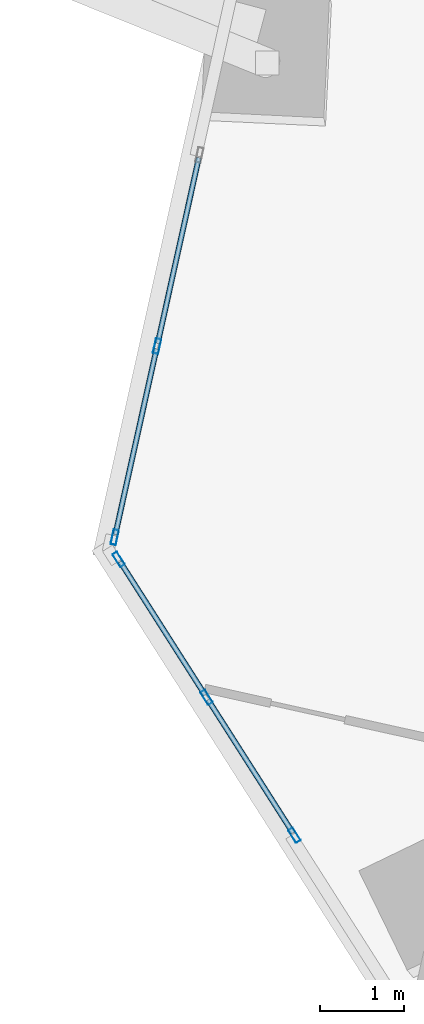
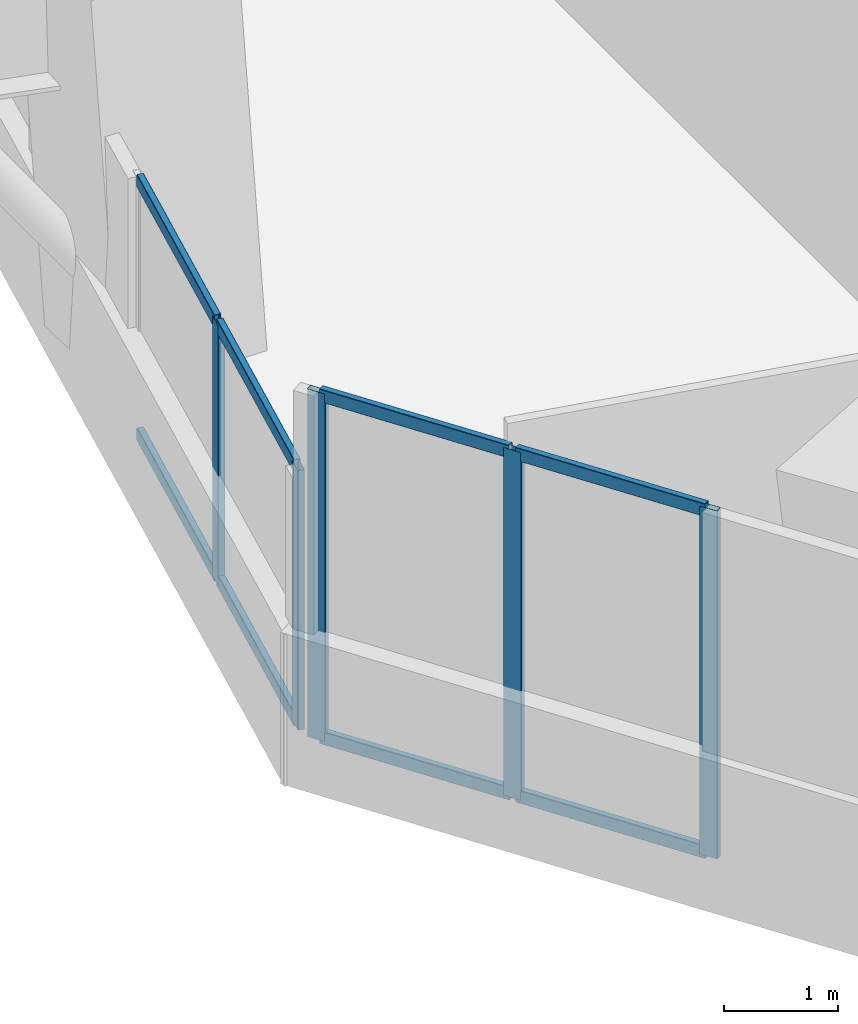
# One storey, part 3 of 26: 13 members, 2 elements without a shape of their own.
"""IFC4 building model written with IfcOpenShell, lengths in metres."""

from ifc_helpers import new_model, si_unit, direction, frame, origin, origin_2d, place, context, subcontext, project, spatial, hollow_rectangle, extrude, source, transform, mapped, material, material_profile, profile_set, type_object, element, aggregate, save


model = new_model("IFC4")

# Units and contexts
model_context = context("Model", 3, precision=1e-05, world=origin(), true_north=direction((0.0, 1.0)))
body_context = subcontext(model_context, "Body", "Model", "MODEL_VIEW")
ifc_project = project(units=[si_unit("LENGTHUNIT", "METRE"), si_unit("AREAUNIT", "SQUARE_METRE"), si_unit("VOLUMEUNIT", "CUBIC_METRE"), si_unit("PLANEANGLEUNIT", "RADIAN"), si_unit("MASSUNIT", "GRAM", prefix="KILO")], contexts=[model_context])

# Site, building, storey
site_placement = place(None, origin())
site = spatial("IfcSite", under=ifc_project, at=site_placement, CompositionType="ELEMENT")
building_placement = place(site_placement, origin())
building = spatial("IfcBuilding", under=site, at=building_placement, Name="Torre Montelarca", CompositionType="ELEMENT")
storey_placement = place(building_placement, frame((0.0, 0.0, 95.800048828125)))
storey = spatial("IfcBuildingStorey", under=building, at=storey_placement, Name="L21", CompositionType="ELEMENT", Elevation=95.800048828125)

# Curtain wall, members
ifc_material_1 = material(Name="Insulated low-E laminated glass", Category="glass")
curtain_wall_type = type_object("IfcCurtainWallType", Name="CW-SYS-Z1", PredefinedType="USERDEFINED", material=ifc_material_1)
curtain_wall_1_placement = place(storey_placement, origin())
curtain_wall_1 = element("IfcCurtainWall", 1, at=curtain_wall_1_placement, inside=storey, type_object=curtain_wall_type, Name="L21 Curtain Wall Run CW-T3-L21-E10-B3", ObjectType="UNITISED GLAZING", PredefinedType="USERDEFINED")
ifc_material_2 = material(Name="Anodised aluminium AA 6063-T6", Category="aluminium")
ifc_material_profile_1 = material_profile(ifc_material_2, hollow_rectangle(XDim=0.06494140625, YDim=0.139892578125, WallThickness=0.00390625, InnerFilletRadius=0.00390625, OuterFilletRadius=0.008056640625, at=origin_2d()), Name="ALU65X140X4", Category="aluminium")
ifc_profile_set_1 = profile_set([ifc_material_profile_1], Name="Anodised aluminium AA 6063-T6")
member_type_1 = type_object("IfcMemberType", Name="CWT-ALU140", PredefinedType="USERDEFINED", material=ifc_profile_set_1)
shared_shape_1 = source(origin(), body_context, "Body", "SweptSolid", [
    extrude(hollow_rectangle(XDim=0.06494140625, YDim=0.139892578125, WallThickness=0.00390625, InnerFilletRadius=0.00390625, OuterFilletRadius=0.008056640625, at=origin_2d()), origin(), (0.0, 0.0, 1.0), 2.251953125),
])
member_1_placement = place(storey_placement, frame((2.419921875, 27.11328125, 0.032470703125), z_axis=(-0.216402366551, -0.976304263922, 0.0), x_axis=(0.976304263922, -0.216402366551, 0.0)))
member_1 = element("IfcMember", 2, at=member_1_placement, type_object=member_type_1, Name="CW transom 1.1", ObjectType="TRANSOM", PredefinedType="USERDEFINED", context=body_context, shape_type="MappedRepresentation", body=[
    mapped(shared_shape_1, transform((0.0, 0.0, 0.0), scale=1.0)),
])
member_2_placement = place(storey_placement, frame((2.419921875, 27.11328125, 2.742431640625), z_axis=(-0.216402366551, -0.976304263922, 0.0), x_axis=(0.976304263922, -0.216402366551, 0.0)))
member_2 = element("IfcMember", 3, at=member_2_placement, type_object=member_type_1, Name="CW transom 1.2", ObjectType="TRANSOM", PredefinedType="USERDEFINED", context=body_context, shape_type="MappedRepresentation", body=[
    mapped(shared_shape_1, transform((0.0, 0.0, 0.0), scale=1.0)),
])
member_3_placement = place(storey_placement, frame((1.91845703125, 24.851318359375, 0.032470703125), z_axis=(-0.216402366551, -0.976304263922, 0.0), x_axis=(0.976304263922, -0.216402366551, 0.0)))
member_3 = element("IfcMember", 4, at=member_3_placement, type_object=member_type_1, Name="CW transom 2.1", ObjectType="TRANSOM", PredefinedType="USERDEFINED", context=body_context, shape_type="MappedRepresentation", body=[
    mapped(shared_shape_1, transform((0.0, 0.0, 0.0), scale=1.0)),
])
member_4_placement = place(storey_placement, frame((1.91845703125, 24.851318359375, 2.742431640625), z_axis=(-0.216402366551, -0.976304263922, 0.0), x_axis=(0.976304263922, -0.216402366551, 0.0)))
member_4 = element("IfcMember", 5, at=member_4_placement, type_object=member_type_1, Name="CW transom 2.2", ObjectType="TRANSOM", PredefinedType="USERDEFINED", context=body_context, shape_type="MappedRepresentation", body=[
    mapped(shared_shape_1, transform((0.0, 0.0, 0.0), scale=1.0)),
])

curtain_wall_2_placement = place(storey_placement, origin())
curtain_wall_2 = element("IfcCurtainWall", 6, at=curtain_wall_2_placement, inside=storey, type_object=curtain_wall_type, Name="L21 Curtain Wall Run CW-T3-L21-E11-B1", ObjectType="UNITISED GLAZING", PredefinedType="USERDEFINED")
shared_shape_2 = source(origin(), body_context, "Body", "SweptSolid", [
    extrude(hollow_rectangle(XDim=0.06494140625, YDim=0.139892578125, WallThickness=0.00390625, InnerFilletRadius=0.00390625, OuterFilletRadius=0.008056640625, at=origin_2d()), origin(), (0.0, 0.0, 1.0), 1.870849609375),
])
member_5_placement = place(storey_placement, frame((1.488037109375, 22.330810546875, 0.032470703125), z_axis=(0.53726386135, -0.843414218097, 0.0), x_axis=(0.843414218097, 0.53726386135, 0.0)))
member_5 = element("IfcMember", 7, at=member_5_placement, type_object=member_type_1, Name="CW transom 1.1", ObjectType="TRANSOM", PredefinedType="USERDEFINED", context=body_context, shape_type="MappedRepresentation", body=[
    mapped(shared_shape_2, transform((0.0, 0.0, 0.0), scale=1.0)),
])
member_6_placement = place(storey_placement, frame((1.488037109375, 22.330810546875, 3.6875), z_axis=(0.53726386135, -0.843414218097, 0.0), x_axis=(0.843414218097, 0.53726386135, 0.0)))
member_6 = element("IfcMember", 8, at=member_6_placement, type_object=member_type_1, Name="CW transom 1.2", ObjectType="TRANSOM", PredefinedType="USERDEFINED", context=body_context, shape_type="MappedRepresentation", body=[
    mapped(shared_shape_2, transform((0.0, 0.0, 0.0), scale=1.0)),
])
member_7_placement = place(storey_placement, frame((2.528076171875, 20.6982421875, 0.032470703125), z_axis=(0.53735668164, -0.8433550834, 0.0), x_axis=(0.8433550834, 0.53735668164, 0.0)))
member_7 = element("IfcMember", 9, at=member_7_placement, type_object=member_type_1, Name="CW transom 2.1", ObjectType="TRANSOM", PredefinedType="USERDEFINED", context=body_context, shape_type="MappedRepresentation", body=[
    mapped(shared_shape_2, transform((0.0, 0.0, 0.0), scale=1.0)),
])
member_8_placement = place(storey_placement, frame((2.528076171875, 20.6982421875, 3.6875), z_axis=(0.53735668164, -0.8433550834, 0.0), x_axis=(0.8433550834, 0.53735668164, 0.0)))
member_8 = element("IfcMember", 10, at=member_8_placement, type_object=member_type_1, Name="CW transom 2.2", ObjectType="TRANSOM", PredefinedType="USERDEFINED", context=body_context, shape_type="MappedRepresentation", body=[
    mapped(shared_shape_2, transform((0.0, 0.0, 0.0), scale=1.0)),
])
ifc_material_profile_2 = material_profile(ifc_material_2, hollow_rectangle(XDim=0.06494140625, YDim=0.179931640625, WallThickness=0.00390625, InnerFilletRadius=0.00390625, OuterFilletRadius=0.008056640625, at=origin_2d()), Name="ALU65X180X4", Category="aluminium")
ifc_profile_set_2 = profile_set([ifc_material_profile_2], Name="Anodised aluminium AA 6063-T6")
member_type_2 = type_object("IfcMemberType", Name="CWM-ALU180", PredefinedType="MULLION", material=ifc_profile_set_2)
shared_shape_3 = source(origin(), body_context, "Body", "SweptSolid", [
    extrude(hollow_rectangle(XDim=0.06494140625, YDim=0.179931640625, WallThickness=0.00390625, InnerFilletRadius=0.00390625, OuterFilletRadius=0.008056640625, at=origin_2d()), origin(), (0.0, 0.0, 1.0), 3.719970703125),
])
member_9_placement = place(storey_placement, frame((1.470458984375, 22.3583984375, 0.0), z_axis=(0.0, 0.0, 1.0), x_axis=(0.843380013107, 0.537317553679, 0.0)))
member_9 = element("IfcMember", 11, at=member_9_placement, type_object=member_type_2, Name="CW mullion 1", PredefinedType="MULLION", context=body_context, shape_type="MappedRepresentation", body=[
    mapped(shared_shape_3, transform((0.0, 0.0, 0.0), scale=1.0)),
])
member_10_placement = place(storey_placement, frame((2.5107421875, 20.7255859375, 0.0), z_axis=(0.0, 0.0, 1.0), x_axis=(0.843380013107, 0.537317553679, 0.0)))
member_10 = element("IfcMember", 12, at=member_10_placement, type_object=member_type_2, Name="CW mullion 2", PredefinedType="MULLION", context=body_context, shape_type="MappedRepresentation", body=[
    mapped(shared_shape_3, transform((0.0, 0.0, 0.0), scale=1.0)),
])
member_11_placement = place(storey_placement, frame((3.55078125, 19.093017578125, 0.0), z_axis=(0.0, 0.0, 1.0), x_axis=(0.843380013107, 0.537317553679, 0.0)))
member_11 = element("IfcMember", 13, at=member_11_placement, type_object=member_type_2, Name="CW mullion 3", PredefinedType="MULLION", context=body_context, shape_type="MappedRepresentation", body=[
    mapped(shared_shape_3, transform((0.0, 0.0, 0.0), scale=1.0)),
])
aggregate(curtain_wall_2, [member_9, member_10, member_11, member_5, member_6, member_7, member_8])

# Member
shared_shape_4 = source(origin(), body_context, "Body", "SweptSolid", [
    extrude(hollow_rectangle(XDim=0.06494140625, YDim=0.179931640625, WallThickness=0.00390625, InnerFilletRadius=0.00390625, OuterFilletRadius=0.008056640625, at=origin_2d()), origin(), (0.0, 0.0, 1.0), 2.77490234375),
])
member_12_placement = place(storey_placement, frame((1.925537109375, 24.883056640625, 0.0), z_axis=(0.0, 0.0, 1.0), x_axis=(0.976296101352, -0.216439188886, 0.0)))
member_12 = element("IfcMember", 14, at=member_12_placement, type_object=member_type_2, Name="CW mullion 2", PredefinedType="MULLION", context=body_context, shape_type="MappedRepresentation", body=[
    mapped(shared_shape_4, transform((0.0, 0.0, 0.0), scale=1.0)),
])

member_13_placement = place(storey_placement, frame((1.424072265625, 22.62109375, 0.0), z_axis=(0.0, 0.0, 1.0), x_axis=(0.976296101352, -0.216439188886, 0.0)))
member_13 = element("IfcMember", 15, at=member_13_placement, type_object=member_type_2, Name="CW mullion 3", PredefinedType="MULLION", context=body_context, shape_type="MappedRepresentation", body=[
    mapped(shared_shape_4, transform((0.0, 0.0, 0.0), scale=1.0)),
])

aggregate(curtain_wall_1, [member_12, member_13, member_1, member_2, member_3, member_4])

save(model, "model.ifc")
